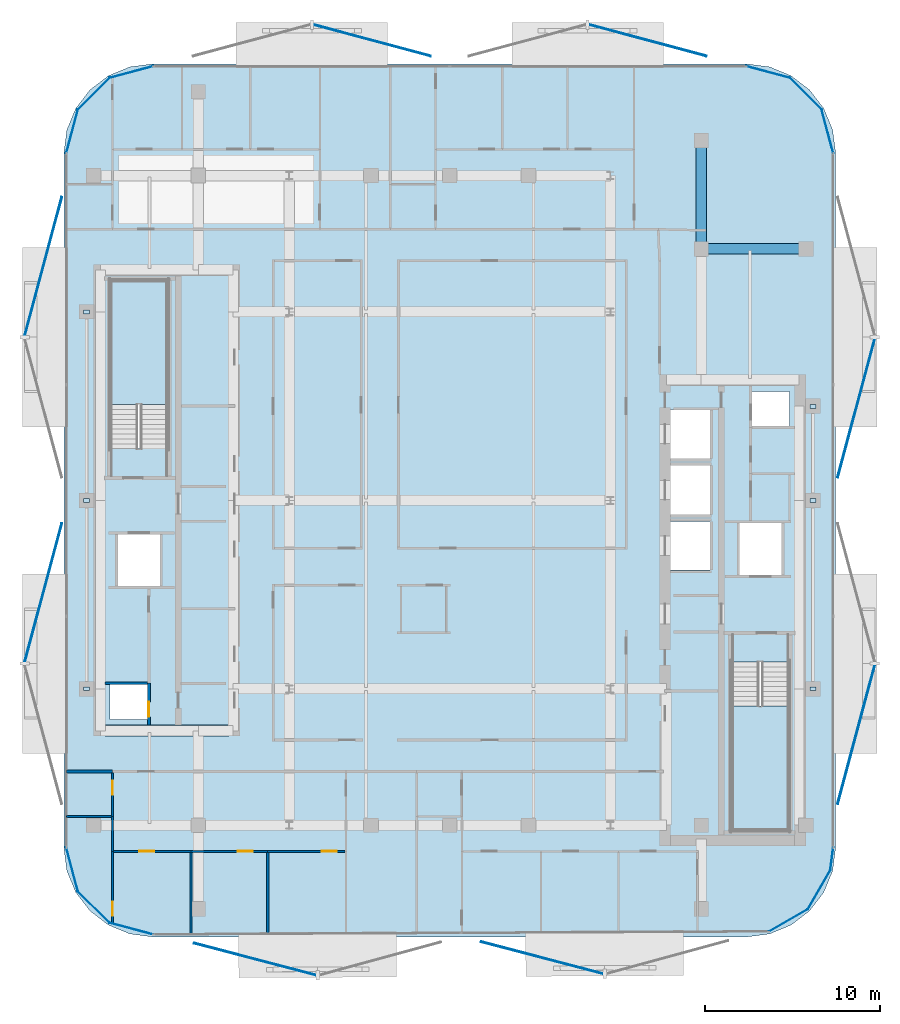
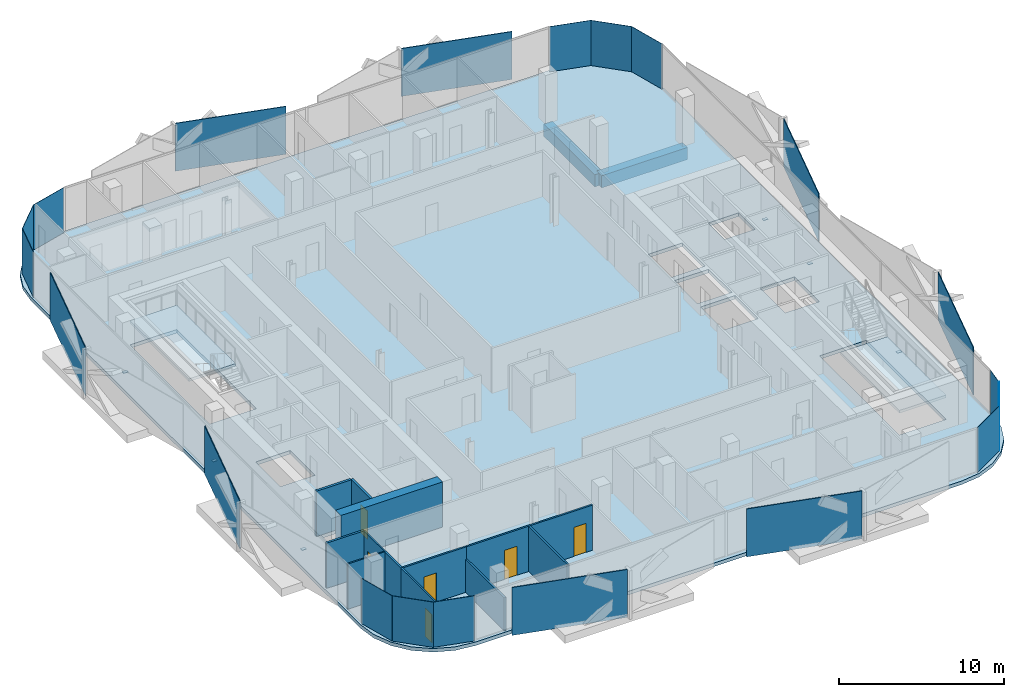
# One storey, part 2 of 15: 26 plates, 13 walls, 6 doors, 3 slabs, 2 beams, 6 openings, 2 elements without a shape of their own.
"""IFC4 building model written with IfcOpenShell, lengths in metres."""

from ifc_helpers import new_model, si_unit, direction, frame, frame_2d, origin, origin_2d, place, context, subcontext, project, spatial, polyline, rectangle, outline, extrude, material, layer, layer_set, material_profile, profile_set, type_object, element, fill, aggregate, save


model = new_model("IFC4")

# Units and contexts
model_context = context("Model", 3, precision=1e-05, world=origin(), true_north=direction((0.0, 1.0)))
body_context = subcontext(model_context, "Body", "Model", "MODEL_VIEW")
ifc_project = project(units=[si_unit("LENGTHUNIT", "METRE"), si_unit("AREAUNIT", "SQUARE_METRE"), si_unit("VOLUMEUNIT", "CUBIC_METRE"), si_unit("PLANEANGLEUNIT", "RADIAN"), si_unit("MASSUNIT", "GRAM", prefix="KILO")], contexts=[model_context])

# Site, building, storey
site_placement = place(None, origin())
site = spatial("IfcSite", under=ifc_project, at=site_placement, CompositionType="ELEMENT")
building_placement = place(site_placement, origin())
building = spatial("IfcBuilding", under=site, at=building_placement, Name="Khairoan Windgate Tower", CompositionType="ELEMENT")
storey_placement = place(building_placement, frame((0.0, 0.0, 226.0)))
storey = spatial("IfcBuildingStorey", under=building, at=storey_placement, Name="L52", CompositionType="ELEMENT", Elevation=226.0)

# Beams
ifc_material_1 = material(Name="Concrete C50/60", Category="concrete")
ifc_material_profile = material_profile(ifc_material_1, rectangle(XDim=0.60009765625, YDim=0.89990234375, at=origin_2d()))
ifc_profile_set = profile_set([ifc_material_profile], Name="Concrete C50/60")
beam_type = type_object("IfcBeamType", Name="Beam B-RC1 RC600x900", PredefinedType="BEAM", material=ifc_profile_set)
beam_1_placement = place(storey_placement, frame((14.39990234375, 14.39990234375, -0.7099609375), z_axis=(1.0, 0.0, 0.0), x_axis=(0.0, 1.0, 0.0)))
element("IfcBeam", 1, at=beam_1_placement, inside=storey, type_object=beam_type, Name="L52 E-W Primary Girder 21", PredefinedType="BEAM", context=body_context, shape_type="SweptSolid", body=[
    extrude(rectangle(XDim=0.60009765625, YDim=0.89990234375, at=origin_2d()), origin(), (0.0, 0.0, 1.0), 6.0),
])
beam_2_placement = place(storey_placement, frame((14.39990234375, 14.39990234375, -0.7099609375), z_axis=(0.0, 1.0, 0.0), x_axis=(-1.0, 0.0, 0.0)))
element("IfcBeam", 2, at=beam_2_placement, inside=storey, type_object=beam_type, Name="L52 N-S Primary Beam 53", PredefinedType="BEAM", context=body_context, shape_type="SweptSolid", body=[
    extrude(rectangle(XDim=0.60009765625, YDim=0.89990234375, at=origin_2d()), origin(), (0.0, 0.0, 1.0), 6.2001953125),
])

# Plates
ifc_material_2 = material(Name="Low-E Solar Control Laminated Glass", Category="glass")
ifc_layer_1 = layer(ifc_material_2, 0.030029296875, Name="Low-E Solar Control Laminated Glass")
ifc_layer_set_1 = layer_set([ifc_layer_1], Name="Low-E Solar Control Laminated Glass")
plate_type_1 = type_object("IfcPlateType", Name="Aerodynamic Wind-Corner Curved Glazing Plate", PredefinedType="USERDEFINED", material=ifc_layer_set_1)
plate_1_placement = place(storey_placement, frame((-18.235107421875, -24.527099609375, 0.0), z_axis=(0.0, 0.0, 1.0), x_axis=(-0.966061211211, 0.258313252067, 0.0)))
element("IfcPlate", 3, at=plate_1_placement, inside=storey, type_object=plate_type_1, Name="L52 Aerodynamic Wind-Corner Curved Glazing Panel 2", ObjectType="GLAZING PANEL", PredefinedType="USERDEFINED", context=body_context, shape_type="SweptSolid", body=[
    extrude(rectangle(XDim=2.6162109375, YDim=0.030029296875, at=origin_2d()), origin(), (0.0, 0.0, 1.0), 3.340087890625),
])
plate_2_placement = place(storey_placement, frame((-20.386962890625, -23.286865234375, 0.0), z_axis=(0.0, 0.0, 1.0), x_axis=(-0.707106781187, 0.707106781187, 0.0)))
element("IfcPlate", 4, at=plate_2_placement, inside=storey, type_object=plate_type_1, Name="L52 Aerodynamic Wind-Corner Curved Glazing Panel 3", ObjectType="GLAZING PANEL", PredefinedType="USERDEFINED", context=body_context, shape_type="SweptSolid", body=[
    extrude(rectangle(XDim=2.606689453125, YDim=0.030029296875, at=origin_2d()), origin(), (0.0, 0.0, 1.0), 3.340087890625),
])
for number, where, z_axis, x_axis, name in (
    (5, (-21.627197265625, -21.135009765625, 0.0), (0.0, 0.0, 1.0), (-0.258313252067, 0.966061211211, 0.0), "L52 Aerodynamic Wind-Corner Curved Glazing Panel 4"),
    (6, (-21.627197265625, 21.135009765625, 0.0), (0.0, 0.0, 1.0), (0.258313252067, 0.966061211211, 0.0), "L52 Aerodynamic Wind-Corner Curved Glazing Panel 6"),
):
    element("IfcPlate", number, at=place(storey_placement, frame(where, z_axis=z_axis, x_axis=x_axis)), inside=storey, type_object=plate_type_1, Name=name, ObjectType="GLAZING PANEL", PredefinedType="USERDEFINED", context=body_context, shape_type="SweptSolid", body=[
        extrude(rectangle(XDim=2.6162109375, YDim=0.030029296875, at=origin_2d()), origin(), (0.0, 0.0, 1.0), 3.340087890625),
    ])
plate_3_placement = place(storey_placement, frame((-20.386962890625, 23.286865234375, 0.0), z_axis=(0.0, 0.0, 1.0), x_axis=(0.707106781187, 0.707106781187, 0.0)))
element("IfcPlate", 7, at=plate_3_placement, inside=storey, type_object=plate_type_1, Name="L52 Aerodynamic Wind-Corner Curved Glazing Panel 7", ObjectType="GLAZING PANEL", PredefinedType="USERDEFINED", context=body_context, shape_type="SweptSolid", body=[
    extrude(rectangle(XDim=2.606689453125, YDim=0.030029296875, at=origin_2d()), origin(), (0.0, 0.0, 1.0), 3.340087890625),
])
for number, where, z_axis, x_axis, name in (
    (8, (-18.235107421875, 24.527099609375, 0.0), (0.0, 0.0, 1.0), (0.966061211211, 0.258313252067, 0.0), "L52 Aerodynamic Wind-Corner Curved Glazing Panel 8"),
    (9, (18.235107421875, 24.527099609375, 0.0), (0.0, 0.0, 1.0), (0.966061211211, -0.258313252067, 0.0), "L52 Aerodynamic Wind-Corner Curved Glazing Panel 10"),
):
    element("IfcPlate", number, at=place(storey_placement, frame(where, z_axis=z_axis, x_axis=x_axis)), inside=storey, type_object=plate_type_1, Name=name, ObjectType="GLAZING PANEL", PredefinedType="USERDEFINED", context=body_context, shape_type="SweptSolid", body=[
        extrude(rectangle(XDim=2.6162109375, YDim=0.030029296875, at=origin_2d()), origin(), (0.0, 0.0, 1.0), 3.340087890625),
    ])
plate_4_placement = place(storey_placement, frame((20.386962890625, 23.286865234375, 0.0), z_axis=(0.0, 0.0, 1.0), x_axis=(0.707106781187, -0.707106781187, 0.0)))
element("IfcPlate", 10, at=plate_4_placement, inside=storey, type_object=plate_type_1, Name="L52 Aerodynamic Wind-Corner Curved Glazing Panel 11", ObjectType="GLAZING PANEL", PredefinedType="USERDEFINED", context=body_context, shape_type="SweptSolid", body=[
    extrude(rectangle(XDim=2.606689453125, YDim=0.030029296875, at=origin_2d()), origin(), (0.0, 0.0, 1.0), 3.340087890625),
])
plate_5_placement = place(storey_placement, frame((21.627197265625, 21.135009765625, 0.0), z_axis=(0.0, 0.0, 1.0), x_axis=(0.258313252067, -0.966061211211, 0.0)))
element("IfcPlate", 11, at=plate_5_placement, inside=storey, type_object=plate_type_1, Name="L52 Aerodynamic Wind-Corner Curved Glazing Panel 12", ObjectType="GLAZING PANEL", PredefinedType="USERDEFINED", context=body_context, shape_type="SweptSolid", body=[
    extrude(rectangle(XDim=2.6162109375, YDim=0.030029296875, at=origin_2d()), origin(), (0.0, 0.0, 1.0), 3.340087890625),
])
plate_6_placement = place(storey_placement, frame((21.875, -20.537109375, 0.0), z_axis=(0.0, 0.0, 1.0), x_axis=(-0.13052619222, -0.991444861374, 0.0)))
element("IfcPlate", 12, at=plate_6_placement, inside=storey, type_object=plate_type_1, Name="L52 Aerodynamic Wind-Corner Curved Glazing Panel 14", ObjectType="GLAZING PANEL", PredefinedType="USERDEFINED", context=body_context, shape_type="SweptSolid", body=[
    extrude(rectangle(XDim=1.343994140625, YDim=0.030029296875, at=origin_2d()), origin(), (0.0, 0.0, 1.0), 3.340087890625),
])
for number, where, z_axis, x_axis, name in (
    (13, (21.148193359375, -22.294921875, 0.0), (0.0, 0.0, 1.0), (-0.5, -0.866025403784, 0.0), "L52 Aerodynamic Wind-Corner Curved Glazing Panel 15"),
    (14, (19.39501953125, -24.048095703125, 0.0), (0.0, 0.0, 1.0), (-0.866025403784, -0.5, 0.0), "L52 Aerodynamic Wind-Corner Curved Glazing Panel 16"),
):
    element("IfcPlate", number, at=place(storey_placement, frame(where, z_axis=z_axis, x_axis=x_axis)), inside=storey, type_object=plate_type_1, Name=name, ObjectType="GLAZING PANEL", PredefinedType="USERDEFINED", context=body_context, shape_type="SweptSolid", body=[
        extrude(rectangle(XDim=2.606689453125, YDim=0.030029296875, at=origin_2d()), origin(), (0.0, 0.0, 1.0), 3.340087890625),
    ])
ifc_material_3 = material(Name="Steel S355", Category="steel")
ifc_layer_2 = layer(ifc_material_3, 0.0400390625, Name="Steel S355")
ifc_layer_set_2 = layer_set([ifc_layer_2], Name="Steel S355")
plate_type_2 = type_object("IfcPlateType", Name="Hollow Section End-Cap Plate PL-CAP40", PredefinedType="SHEET", material=ifc_layer_set_2)
for number, where, z_axis, x_axis, name in (
    (15, (-20.800048828125, -10.784912109375, -0.429931640625), (0.0, 0.0, 1.0), (0.0, 1.0, 0.0), "BM-SP-L52-028 steel end-cap plate 1"),
    (16, (-20.800048828125, -0.014892578125, -0.429931640625), (0.0, 0.0, 1.0), (0.0, 1.0, 0.0), "BM-SP-L52-028 steel end-cap plate 2"),
    (17, (-20.800048828125, 10.784912109375, -0.429931640625), (0.0, 0.0, 1.0), (0.0, 1.0, 0.0), "BM-SP-L52-029 steel end-cap plate 2"),
    (18, (20.800048828125, -10.784912109375, -0.429931640625), (0.0, 0.0, 1.0), (0.0, 1.0, 0.0), "BM-SP-L52-057 steel end-cap plate 1"),
    (19, (20.800048828125, -0.014892578125, -0.429931640625), (0.0, 0.0, 1.0), (0.0, 1.0, 0.0), "BM-SP-L52-057 steel end-cap plate 2"),
    (20, (20.800048828125, 5.385009765625, -0.429931640625), (0.0, 0.0, 1.0), (0.0, 1.0, 0.0), "BM-SP-L52-058 steel end-cap plate 2"),
):
    element("IfcPlate", number, at=place(storey_placement, frame(where, z_axis=z_axis, x_axis=x_axis)), inside=storey, type_object=plate_type_2, Name=name, PredefinedType="SHEET", context=body_context, shape_type="SweptSolid", body=[
        extrude(rectangle(XDim=0.219970703125, YDim=0.320068359375, at=origin_2d()), origin(), (0.0, 0.0, 1.0), 0.0400390625),
    ])
ifc_material_4 = material(Name="Anodised Bronze Aluminium 6063-T6", Category="aluminium")
ifc_layer_3 = layer(ifc_material_4, 0.054931640625, Name="Anodised Bronze Aluminium 6063-T6")
ifc_layer_set_3 = layer_set([ifc_layer_3], Name="Anodised Bronze Aluminium 6063-T6")
plate_type_3 = type_object("IfcPlateType", Name="Perforated Bronze Solar Screen Upper Panel BSP-2", PredefinedType="USERDEFINED", material=ifc_layer_set_3)
for number, where, z_axis, x_axis, name in (
    (21, (5.289306640625, -26.196533203125, -0.10009765625), (0.0, 0.0, 1.0), (-0.967179115616, 0.254095569259, 0.0), "L52 Perforated Bronze Solar Screen Panel 345R"),
    (22, (-11.14794921875, -26.27587890625, -0.10009765625), (0.0, 0.0, 1.0), (-0.967179115616, 0.254095569259, 0.0), "L52 Perforated Bronze Solar Screen Panel 346R"),
):
    element("IfcPlate", number, at=place(storey_placement, frame(where, z_axis=z_axis, x_axis=x_axis)), inside=storey, type_object=plate_type_3, Name=name, ObjectType="SCREEN", PredefinedType="USERDEFINED", context=body_context, shape_type="SweptSolid", body=[
        extrude(rectangle(XDim=7.23193359375, YDim=0.054931640625, at=origin_2d()), origin(), (0.0, 0.0, 1.0), 3.5400390625),
    ])
for number, where, z_axis, x_axis, name in (
    (23, (-23.275634765625, -5.283447265625, -0.10009765625), (0.0, 0.0, 1.0), (0.258819045103, 0.965925826289, 0.0), "L52 Perforated Bronze Solar Screen Panel 347R"),
    (24, (-23.275634765625, 13.4072265625, -0.10009765625), (0.0, 0.0, 1.0), (0.258819045103, 0.965925826289, 0.0), "L52 Perforated Bronze Solar Screen Panel 348R"),
):
    element("IfcPlate", number, at=place(storey_placement, frame(where, z_axis=z_axis, x_axis=x_axis)), inside=storey, type_object=plate_type_3, Name=name, ObjectType="SCREEN", PredefinedType="USERDEFINED", context=body_context, shape_type="SweptSolid", body=[
        extrude(rectangle(XDim=8.22412109375, YDim=0.054931640625, at=origin_2d()), origin(), (0.0, 0.0, 1.0), 3.5400390625),
    ])
for number, where, z_axis, x_axis, name in (
    (25, (-4.44970703125, 26.3408203125, -0.10009765625), (0.0, 0.0, 1.0), (0.965925826289, -0.258819045103, 0.0), "L52 Perforated Bronze Solar Screen Panel 349R"),
    (26, (11.341064453125, 26.3408203125, -0.10009765625), (0.0, 0.0, 1.0), (0.965925826289, -0.258819045103, 0.0), "L52 Perforated Bronze Solar Screen Panel 350R"),
):
    element("IfcPlate", number, at=place(storey_placement, frame(where, z_axis=z_axis, x_axis=x_axis)), inside=storey, type_object=plate_type_3, Name=name, ObjectType="SCREEN", PredefinedType="USERDEFINED", context=body_context, shape_type="SweptSolid", body=[
        extrude(rectangle(XDim=6.947998046875, YDim=0.054931640625, at=origin_2d()), origin(), (0.0, 0.0, 1.0), 3.5400390625),
    ])
for number, where, z_axis, x_axis, name in (
    (27, (23.275634765625, 5.283447265625, -0.10009765625), (0.0, 0.0, 1.0), (-0.258819045103, -0.965925826289, 0.0), "L52 Perforated Bronze Solar Screen Panel 351R"),
    (28, (23.275634765625, -13.4072265625, -0.10009765625), (0.0, 0.0, 1.0), (-0.258819045103, -0.965925826289, 0.0), "L52 Perforated Bronze Solar Screen Panel 352R"),
):
    element("IfcPlate", number, at=place(storey_placement, frame(where, z_axis=z_axis, x_axis=x_axis)), inside=storey, type_object=plate_type_3, Name=name, ObjectType="SCREEN", PredefinedType="USERDEFINED", context=body_context, shape_type="SweptSolid", body=[
        extrude(rectangle(XDim=8.22412109375, YDim=0.054931640625, at=origin_2d()), origin(), (0.0, 0.0, 1.0), 3.5400390625),
    ])

# Stair, slab
ifc_material_5 = material(Name="Concrete C40/50", Category="concrete")
stair_type = type_object("IfcStairType", Name="Tower Core Dog-Leg Stair ST-T1 1560mm", PredefinedType="HALF_TURN_STAIR", material=ifc_material_5)
stair_1_placement = place(storey_placement, origin())
stair_1 = element("IfcStair", 29, at=stair_1_placement, inside=storey, type_object=stair_type, Name="L52 Stair ST1", PredefinedType="HALF_TURN_STAIR")
ifc_material_6 = material(Name="Concrete C40/50", Category="concrete")
ifc_layer_4 = layer(ifc_material_6, 0.199951171875, Name="Concrete C40/50")
ifc_layer_set_4 = layer_set([ifc_layer_4], Name="Concrete C40/50")
slab_type_1 = type_object("IfcSlabType", Name="Reinforced Concrete Stair Landing Slab STL-200", PredefinedType="LANDING", material=ifc_layer_set_4)
slab_1_placement = place(storey_placement, frame((0.0, 0.0, 1.60009765625)))
slab_1 = element("IfcSlab", 30, at=slab_1_placement, type_object=slab_type_1, Name="ST1 landing 1", PredefinedType="LANDING", context=body_context, shape_type="SweptSolid", body=[
    extrude(outline(polyline([(16.14990234375, -11.780029296875), (16.14990234375, -18.89990234375), (19.419921875, -18.89990234375), (19.419921875, -11.780029296875), (16.14990234375, -11.780029296875)])), origin(), (0.0, 0.0, 1.0), 0.199951171875),
])
aggregate(stair_1, [slab_1])

stair_2_placement = place(storey_placement, origin())
stair_2 = element("IfcStair", 31, at=stair_2_placement, inside=storey, type_object=stair_type, Name="L52 Stair ST2", PredefinedType="HALF_TURN_STAIR")
slab_2_placement = place(storey_placement, frame((0.0, 0.0, 1.60009765625)))
slab_2 = element("IfcSlab", 32, at=slab_2_placement, type_object=slab_type_1, Name="ST2 landing 1", PredefinedType="LANDING", context=body_context, shape_type="SweptSolid", body=[
    extrude(outline(polyline([(-16.14990234375, 5.47998046875), (-16.14990234375, 12.60009765625), (-19.419921875, 12.60009765625), (-19.419921875, 5.47998046875), (-16.14990234375, 5.47998046875)])), origin(), (0.0, 0.0, 1.0), 0.199951171875),
])
aggregate(stair_2, [slab_2])

# Slab
ifc_material_7 = material(Name="Concrete C40/50", Category="concrete")
ifc_layer_5 = layer(ifc_material_7, 0.260009765625, Name="Concrete C40/50")
ifc_layer_set_5 = layer_set([ifc_layer_5], Name="Concrete C40/50")
slab_type_2 = type_object("IfcSlabType", Name="Tower Composite Floor Slab FS2 260mm", PredefinedType="FLOOR", material=ifc_layer_set_5)
slab_3_placement = place(storey_placement, frame((0.0, 0.0, -0.260009765625)))
element("IfcSlab", 33, at=slab_3_placement, inside=storey, type_object=slab_type_2, Name="L52 Structural Floor Slab", PredefinedType="FLOOR", context=body_context, shape_type="SweptSolid", body=[
    extrude(outline(polyline([(17.0, -25.0), (18.320068359375, -24.826171875), (19.550048828125, -24.316650390625), (20.606201171875, -23.506103515625), (21.416748046875, -22.449951171875), (21.92626953125, -21.219970703125), (22.10009765625, -19.89990234375), (22.10009765625, 19.89990234375), (21.92626953125, 21.219970703125), (21.416748046875, 22.449951171875), (20.606201171875, 23.506103515625), (19.550048828125, 24.316650390625), (18.320068359375, 24.826171875), (17.0, 25.0), (-17.0, 25.0), (-18.320068359375, 24.826171875), (-19.550048828125, 24.316650390625), (-20.606201171875, 23.506103515625), (-21.416748046875, 22.449951171875), (-21.92626953125, 21.219970703125), (-22.10009765625, 19.89990234375), (-22.10009765625, -19.89990234375), (-21.92626953125, -21.219970703125), (-21.416748046875, -22.449951171875), (-20.606201171875, -23.506103515625), (-19.550048828125, -24.316650390625), (-18.320068359375, -24.826171875), (-17.0, -25.0), (17.0, -25.0)]), holes=[polyline([(16.14990234375, -9.260009765625), (16.14990234375, -18.89990234375), (19.419921875, -18.89990234375), (19.419921875, -9.260009765625), (16.14990234375, -9.260009765625)]), polyline([(-16.14990234375, 2.9599609375), (-16.14990234375, 12.60009765625), (-19.419921875, 12.60009765625), (-19.419921875, 2.9599609375), (-16.14990234375, 2.9599609375)]), polyline([(12.5, 2.39990234375), (14.89990234375, 2.39990234375), (14.89990234375, 5.199951171875), (12.5, 5.199951171875), (12.5, 2.39990234375)]), polyline([(12.5, -0.800048828125), (14.89990234375, -0.800048828125), (14.89990234375, 2.0), (12.5, 2.0), (12.5, -0.800048828125)]), polyline([(12.5, -4.0), (14.89990234375, -4.0), (14.89990234375, -1.199951171875), (12.5, -1.199951171875), (12.5, -4.0)]), polyline([(16.60009765625, -4.300048828125), (19.0, -4.300048828125), (19.0, -1.300048828125), (16.60009765625, -1.300048828125), (16.60009765625, -4.300048828125)]), polyline([(-19.0, -4.89990234375), (-16.60009765625, -4.89990234375), (-16.60009765625, -1.89990234375), (-19.0, -1.89990234375), (-19.0, -4.89990234375)]), polyline([(-19.449951171875, -12.550048828125), (-17.31005859375, -12.550048828125), (-17.31005859375, -10.550048828125), (-19.449951171875, -10.550048828125), (-19.449951171875, -12.550048828125)]), polyline([(17.31005859375, 4.25), (19.449951171875, 4.25), (19.449951171875, 6.25), (17.31005859375, 6.25), (17.31005859375, 4.25)])]), origin(), (0.0, 0.0, 1.0), 0.260009765625),
])

# Wall
ifc_material_8 = material(Name="Moisture-Resistant Gypsum Partition", Category="gypsum")
ifc_layer_6 = layer(ifc_material_8, 0.10009765625, Name="Moisture-Resistant Gypsum Partition")
ifc_layer_set_6 = layer_set([ifc_layer_6], Name="Moisture-Resistant Gypsum Partition")
wall_type_1 = type_object("IfcWallType", Name="Bathroom Wet-Area Partition Wall", PredefinedType="PARTITIONING", material=ifc_layer_set_6)
wall_1_placement = place(storey_placement, frame((-21.955078125, -18.10009765625, 0.0), z_axis=(0.0, 0.0, 1.0), x_axis=(1.0, 0.0, 0.0)))
element("IfcWall", 34, at=wall_1_placement, inside=storey, type_object=wall_type_1, Name="L52 Interior Partition 064", PredefinedType="PARTITIONING", context=body_context, shape_type="SweptSolid", body=[
    extrude(rectangle(XDim=2.594970703125, YDim=0.10009765625, at=frame_2d((1.29736328125, 0.0))), origin(), (0.0, 0.0, 1.0), 3.340087890625),
])

# Wall, opening, door
wall_2_placement = place(storey_placement, frame((-19.31005859375, -18.10009765625, 0.0), z_axis=(0.0, 0.0, 1.0), x_axis=(0.0, 1.0, 0.0)))
wall_2 = element("IfcWall", 35, at=wall_2_placement, inside=storey, type_object=wall_type_1, Name="L52 Interior Partition 065", PredefinedType="PARTITIONING", context=body_context, shape_type="SweptSolid", body=[
    extrude(rectangle(XDim=2.5, YDim=0.10009765625, at=frame_2d((1.25, 0.0))), origin(), (0.0, 0.0, 1.0), 3.340087890625),
])
opening_1_placement = place(wall_2_placement, frame((1.239990234375, 0.0, 0.0)))
opening_1 = element("IfcOpeningElement", 36, at=opening_1_placement, cuts=wall_2, Name="Opening ID-BTH", PredefinedType="OPENING", context=body_context, shape_type="SweptSolid", body=[
    extrude(rectangle(XDim=0.800048828125, YDim=2.10009765625, at=frame_2d((0.39990234375, 1.050048828125))), frame((0.0, 0.06005859375, 0.0), z_axis=(0.0, -1.0, 0.0), x_axis=(1.0, 0.0, 0.0)), (0.0, 0.0, 1.0), 0.1201171875),
])
ifc_material_9 = material(Name="Teak Veneer Timber Leaf", Category="wood")
door_type_1 = type_object("IfcDoorType", Name="Internal Bathroom Door ID-BTH 800x2100", OperationType="NOTDEFINED", PredefinedType="DOOR", material=ifc_material_9)
door_1_placement = place(opening_1_placement, origin())
door_1 = element("IfcDoor", 37, at=door_1_placement, inside=storey, type_object=door_type_1, Name="L52 L52-47-L52-49 Door", OperationType="SINGLE_SWING_LEFT", OverallHeight=2.10009765625, OverallWidth=0.800048828125, PredefinedType="DOOR", context=body_context, shape_type="SweptSolid", body=[
    extrude(rectangle(XDim=0.800048828125, YDim=2.10009765625, at=frame_2d((0.39990234375, 1.050048828125))), frame((0.0, 0.02490234375, 0.0), z_axis=(0.0, -1.0, 0.0), x_axis=(1.0, 0.0, 0.0)), (0.0, 0.0, 1.0), 0.050048828125),
])
fill(opening_1, door_1)

# Wall
ifc_material_10 = material(Name="Gypsum Stud Partition", Category="gypsum")
ifc_layer_7 = layer(ifc_material_10, 0.1201171875, Name="Gypsum Stud Partition")
ifc_layer_set_7 = layer_set([ifc_layer_7], Name="Gypsum Stud Partition")
wall_type_2 = type_object("IfcWallType", Name="Internal Room Partition Wall", PredefinedType="PARTITIONING", material=ifc_layer_set_7)
wall_3_placement = place(storey_placement, frame((-19.31005859375, -20.10009765625, 0.0), z_axis=(0.0, 0.0, 1.0), x_axis=(0.0, 1.0, 0.0)))
element("IfcWall", 38, at=wall_3_placement, inside=storey, type_object=wall_type_2, Name="L52 Interior Partition 066", PredefinedType="PARTITIONING", context=body_context, shape_type="SweptSolid", body=[
    extrude(rectangle(XDim=2.0, YDim=0.1201171875, at=frame_2d((1.0, 0.0))), origin(), (0.0, 0.0, 1.0), 3.340087890625),
])

# Wall, opening, door
wall_4_placement = place(storey_placement, frame((-19.31005859375, -24.234619140625, 0.0), z_axis=(0.0, 0.0, 1.0), x_axis=(0.0, 1.0, 0.0)))
wall_4 = element("IfcWall", 39, at=wall_4_placement, inside=storey, type_object=wall_type_2, Name="L52 Interior Partition 067", PredefinedType="PARTITIONING", context=body_context, shape_type="SweptSolid", body=[
    extrude(rectangle(XDim=4.134521484375, YDim=0.1201171875, at=frame_2d((2.0673828125, 0.0))), origin(), (0.0, 0.0, 1.0), 3.340087890625),
])
opening_2_placement = place(wall_4_placement, frame((0.4599609375, 0.0, 0.0)))
opening_2 = element("IfcOpeningElement", 40, at=opening_2_placement, cuts=wall_4, Name="Opening ID-BTH", PredefinedType="OPENING", context=body_context, shape_type="SweptSolid", body=[
    extrude(rectangle(XDim=0.800048828125, YDim=2.10009765625, at=frame_2d((0.39990234375, 1.050048828125))), frame((0.0, 0.070068359375, 0.0), z_axis=(0.0, -1.0, 0.0), x_axis=(1.0, 0.0, 0.0)), (0.0, 0.0, 1.0), 0.14013671875),
])
door_2_placement = place(opening_2_placement, origin())
door_2 = element("IfcDoor", 41, at=door_2_placement, inside=storey, type_object=door_type_1, Name="L52 L52-48-L52-51 Door", OperationType="SINGLE_SWING_RIGHT", OverallHeight=2.10009765625, OverallWidth=0.800048828125, PredefinedType="DOOR", context=body_context, shape_type="SweptSolid", body=[
    extrude(rectangle(XDim=0.800048828125, YDim=2.10009765625, at=frame_2d((0.39990234375, 1.050048828125))), frame((0.0, 0.02490234375, 0.0), z_axis=(0.0, -1.0, 0.0), x_axis=(1.0, 0.0, 0.0)), (0.0, 0.0, 1.0), 0.050048828125),
])
fill(opening_2, door_2)

wall_5_placement = place(storey_placement, frame((-19.25, -20.10009765625, 0.0), z_axis=(0.0, 0.0, 1.0), x_axis=(1.0, 0.0, 0.0)))
wall_5 = element("IfcWall", 42, at=wall_5_placement, inside=storey, type_object=wall_type_2, Name="L52 Interior Partition 069", PredefinedType="PARTITIONING", context=body_context, shape_type="SweptSolid", body=[
    extrude(rectangle(XDim=4.423095703125, YDim=0.1201171875, at=frame_2d((2.21142578125, 0.0))), origin(), (0.0, 0.0, 1.0), 3.340087890625),
])
opening_3_placement = place(wall_5_placement, frame((1.4765625, 0.0, 0.0)))
opening_3 = element("IfcOpeningElement", 43, at=opening_3_placement, cuts=wall_5, Name="Opening ID-RM", PredefinedType="OPENING", context=body_context, shape_type="SweptSolid", body=[
    extrude(rectangle(XDim=0.860107421875, YDim=2.14990234375, at=frame_2d((0.43017578125, 1.074951171875))), frame((0.0, 0.070068359375, 0.0), z_axis=(0.0, -1.0, 0.0), x_axis=(1.0, 0.0, 0.0)), (0.0, 0.0, 1.0), 0.14013671875),
])
ifc_material_11 = material(Name="Teak Veneer Timber Leaf", Category="wood")
door_type_2 = type_object("IfcDoorType", Name="Internal Bedroom and Office Door ID-RM 860x2150", OperationType="NOTDEFINED", PredefinedType="DOOR", material=ifc_material_11)
door_3_placement = place(opening_3_placement, origin())
door_3 = element("IfcDoor", 44, at=door_3_placement, inside=storey, type_object=door_type_2, Name="L52 L52-49-L52-51 Door", OperationType="SINGLE_SWING_RIGHT", OverallHeight=2.14990234375, OverallWidth=0.860107421875, PredefinedType="DOOR", context=body_context, shape_type="SweptSolid", body=[
    extrude(rectangle(XDim=0.860107421875, YDim=2.14990234375, at=frame_2d((0.43017578125, 1.074951171875))), frame((0.0, 0.02490234375, 0.0), z_axis=(0.0, -1.0, 0.0), x_axis=(1.0, 0.0, 0.0)), (0.0, 0.0, 1.0), 0.050048828125),
])
fill(opening_3, door_3)

wall_6_placement = place(storey_placement, frame((-14.826904296875, -20.10009765625, 0.0), z_axis=(0.0, 0.0, 1.0), x_axis=(1.0, 0.0, 0.0)))
wall_6 = element("IfcWall", 45, at=wall_6_placement, inside=storey, type_object=wall_type_2, Name="L52 Interior Partition 070", PredefinedType="PARTITIONING", context=body_context, shape_type="SweptSolid", body=[
    extrude(rectangle(XDim=4.40380859375, YDim=0.1201171875, at=frame_2d((2.201904296875, 0.0))), origin(), (0.0, 0.0, 1.0), 3.340087890625),
])
opening_4_placement = place(wall_6_placement, frame((2.680419921875, 0.0, 0.0)))
opening_4 = element("IfcOpeningElement", 46, at=opening_4_placement, cuts=wall_6, Name="Opening ID-RM", PredefinedType="OPENING", context=body_context, shape_type="SweptSolid", body=[
    extrude(rectangle(XDim=0.860107421875, YDim=2.14990234375, at=frame_2d((0.43017578125, 1.074951171875))), frame((0.0, 0.070068359375, 0.0), z_axis=(0.0, -1.0, 0.0), x_axis=(1.0, 0.0, 0.0)), (0.0, 0.0, 1.0), 0.14013671875),
])
door_4_placement = place(opening_4_placement, origin())
door_4 = element("IfcDoor", 47, at=door_4_placement, inside=storey, type_object=door_type_2, Name="L52 L52-49-L52-52 Door", OperationType="SINGLE_SWING_LEFT", OverallHeight=2.14990234375, OverallWidth=0.860107421875, PredefinedType="DOOR", context=body_context, shape_type="SweptSolid", body=[
    extrude(rectangle(XDim=0.860107421875, YDim=2.14990234375, at=frame_2d((0.43017578125, 1.074951171875))), frame((0.0, 0.02490234375, 0.0), z_axis=(0.0, -1.0, 0.0), x_axis=(1.0, 0.0, 0.0)), (0.0, 0.0, 1.0), 0.050048828125),
])
fill(opening_4, door_4)

wall_7_placement = place(storey_placement, frame((-10.423095703125, -20.10009765625, 0.0), z_axis=(0.0, 0.0, 1.0), x_axis=(1.0, 0.0, 0.0)))
wall_7 = element("IfcWall", 48, at=wall_7_placement, inside=storey, type_object=wall_type_2, Name="L52 Interior Partition 071", PredefinedType="PARTITIONING", context=body_context, shape_type="SweptSolid", body=[
    extrude(rectangle(XDim=4.423095703125, YDim=0.1201171875, at=frame_2d((2.21142578125, 0.0))), origin(), (0.0, 0.0, 1.0), 3.340087890625),
])
opening_5_placement = place(wall_7_placement, frame((3.10302734375, 0.0, 0.0)))
opening_5 = element("IfcOpeningElement", 49, at=opening_5_placement, cuts=wall_7, Name="Opening ID-RM", PredefinedType="OPENING", context=body_context, shape_type="SweptSolid", body=[
    extrude(rectangle(XDim=0.860107421875, YDim=2.14990234375, at=frame_2d((0.43017578125, 1.074951171875))), frame((0.0, 0.070068359375, 0.0), z_axis=(0.0, -1.0, 0.0), x_axis=(1.0, 0.0, 0.0)), (0.0, 0.0, 1.0), 0.14013671875),
])
door_5_placement = place(opening_5_placement, origin())
door_5 = element("IfcDoor", 50, at=door_5_placement, inside=storey, type_object=door_type_2, Name="L52 L52-49-L52-53 Door", OperationType="SINGLE_SWING_RIGHT", OverallHeight=2.14990234375, OverallWidth=0.860107421875, PredefinedType="DOOR", context=body_context, shape_type="SweptSolid", body=[
    extrude(rectangle(XDim=0.860107421875, YDim=2.14990234375, at=frame_2d((0.43017578125, 1.074951171875))), frame((0.0, 0.02490234375, 0.0), z_axis=(0.0, -1.0, 0.0), x_axis=(1.0, 0.0, 0.0)), (0.0, 0.0, 1.0), 0.050048828125),
])
fill(opening_5, door_5)

# Walls
wall_8_placement = place(storey_placement, frame((-14.826904296875, -24.844482421875, 0.0), z_axis=(0.0, 0.0, 1.0), x_axis=(0.0, 1.0, 0.0)))
element("IfcWall", 51, at=wall_8_placement, inside=storey, type_object=wall_type_2, Name="L52 Interior Partition 075", PredefinedType="PARTITIONING", context=body_context, shape_type="SweptSolid", body=[
    extrude(rectangle(XDim=4.6845703125, YDim=0.1201171875, at=frame_2d((2.34228515625, 0.0))), origin(), (0.0, 0.0, 1.0), 2.43994140625),
])
wall_9_placement = place(storey_placement, frame((-10.423095703125, -24.8232421875, 0.0), z_axis=(0.0, 0.0, 1.0), x_axis=(0.0, 1.0, 0.0)))
element("IfcWall", 52, at=wall_9_placement, inside=storey, type_object=wall_type_2, Name="L52 Interior Partition 076", PredefinedType="PARTITIONING", context=body_context, shape_type="SweptSolid", body=[
    extrude(rectangle(XDim=4.663330078125, YDim=0.1201171875, at=frame_2d((2.33154296875, 0.0))), origin(), (0.0, 0.0, 1.0), 3.340087890625),
])

# Wall, opening, door
ifc_material_12 = material(Name="Concrete C40/50", Category="concrete")
ifc_layer_8 = layer(ifc_material_12, 0.159912109375, Name="Concrete C40/50")
ifc_layer_set_8 = layer_set([ifc_layer_8], Name="Concrete C40/50")
wall_type_3 = type_object("IfcWallType", Name="Plant and Refuge Compartment Wall", PredefinedType="PARTITIONING", material=ifc_layer_set_8)
wall_10_placement = place(storey_placement, frame((-17.22998046875, -12.85009765625, 0.0), z_axis=(0.0, 0.0, 1.0), x_axis=(0.0, 1.0, 0.0)))
wall_10 = element("IfcWall", 53, at=wall_10_placement, inside=storey, type_object=wall_type_3, Name="L52 Interior Partition 001", PredefinedType="PARTITIONING", context=body_context, shape_type="SweptSolid", body=[
    extrude(rectangle(XDim=2.380126953125, YDim=0.159912109375, at=frame_2d((1.18994140625, 0.0))), origin(), (0.0, 0.0, 1.0), 3.340087890625),
])
opening_6_placement = place(wall_10_placement, frame((0.4599609375, 0.0, 0.0)))
opening_6 = element("IfcOpeningElement", 54, at=opening_6_placement, cuts=wall_10, Name="Opening FD-SRV", PredefinedType="OPENING", context=body_context, shape_type="SweptSolid", body=[
    extrude(rectangle(XDim=0.85009765625, YDim=2.10009765625, at=frame_2d((0.425048828125, 1.050048828125))), frame((0.0, 0.08984375, 0.0), z_axis=(0.0, -1.0, 0.0), x_axis=(1.0, 0.0, 0.0)), (0.0, 0.0, 1.0), 0.179931640625),
])
ifc_material_13 = material(Name="Steel S355", Category="steel")
door_type_3 = type_object("IfcDoorType", Name="Core Service and Riser Fire Door FD-SRV 850x2100", OperationType="NOTDEFINED", PredefinedType="DOOR", material=ifc_material_13)
door_6_placement = place(opening_6_placement, origin())
door_6 = element("IfcDoor", 55, at=door_6_placement, inside=storey, type_object=door_type_3, Name="L52 L52-04-L52-05 Door", OperationType="SINGLE_SWING_RIGHT", OverallHeight=2.10009765625, OverallWidth=0.85009765625, PredefinedType="DOOR", context=body_context, shape_type="SweptSolid", body=[
    extrude(rectangle(XDim=0.85009765625, YDim=2.10009765625, at=frame_2d((0.425048828125, 1.050048828125))), frame((0.0, 0.02490234375, 0.0), z_axis=(0.0, -1.0, 0.0), x_axis=(1.0, 0.0, 0.0)), (0.0, 0.0, 1.0), 0.050048828125),
])
fill(opening_6, door_6)

# Walls
wall_11_placement = place(storey_placement, frame((-19.75, -10.469970703125, 0.0), z_axis=(0.0, 0.0, 1.0), x_axis=(1.0, 0.0, 0.0)))
element("IfcWall", 56, at=wall_11_placement, inside=storey, type_object=wall_type_3, Name="L52 Interior Partition 003", PredefinedType="PARTITIONING", context=body_context, shape_type="SweptSolid", body=[
    extrude(rectangle(XDim=2.43994140625, YDim=0.159912109375, at=frame_2d((1.219970703125, 0.0))), origin(), (0.0, 0.0, 1.0), 3.340087890625),
])
ifc_material_14 = material(Name="Acoustic Fire-Rated Gypsum Partition", Category="gypsum")
ifc_layer_9 = layer(ifc_material_14, 0.14990234375, Name="Acoustic Fire-Rated Gypsum Partition")
ifc_layer_set_9 = layer_set([ifc_layer_9], Name="Acoustic Fire-Rated Gypsum Partition")
wall_type_4 = type_object("IfcWallType", Name="Rated Corridor Partition Wall", PredefinedType="PARTITIONING", material=ifc_layer_set_9)
wall_12_placement = place(storey_placement, frame((-21.955078125, -15.52490234375, 0.0), z_axis=(0.0, 0.0, 1.0), x_axis=(1.0, 0.0, 0.0)))
element("IfcWall", 57, at=wall_12_placement, inside=storey, type_object=wall_type_4, Name="L52 Interior Partition 032", PredefinedType="PARTITIONING", context=body_context, shape_type="SweptSolid", body=[
    extrude(rectangle(XDim=2.64501953125, YDim=0.14990234375, at=frame_2d((1.322509765625, 0.0))), origin(), (0.0, 0.0, 1.0), 3.340087890625),
])
ifc_material_15 = material(Name="Concrete C60/75", Category="concrete")
ifc_layer_10 = layer(ifc_material_15, 0.64990234375, Name="Concrete C60/75")
ifc_layer_set_10 = layer_set([ifc_layer_10], Name="Concrete C60/75")
wall_type_5 = type_object("IfcWallType", Name="Shear Wall CW-W2 650mm", PredefinedType="SHEAR", material=ifc_layer_set_10)
wall_13_placement = place(storey_placement, frame((-19.75, -13.175048828125, 0.0), z_axis=(0.0, 0.0, 1.0), x_axis=(1.0, 0.0, 0.0)))
element("IfcWall", 58, at=wall_13_placement, inside=storey, type_object=wall_type_5, Name="W Core South Shear Wall L52", PredefinedType="SHEAR", context=body_context, shape_type="SweptSolid", body=[
    extrude(rectangle(XDim=7.10009765625, YDim=0.64990234375, at=frame_2d((3.550048828125, 0.0))), origin(), (0.0, 0.0, 1.0), 3.340087890625),
])

save(model, "model.ifc")
